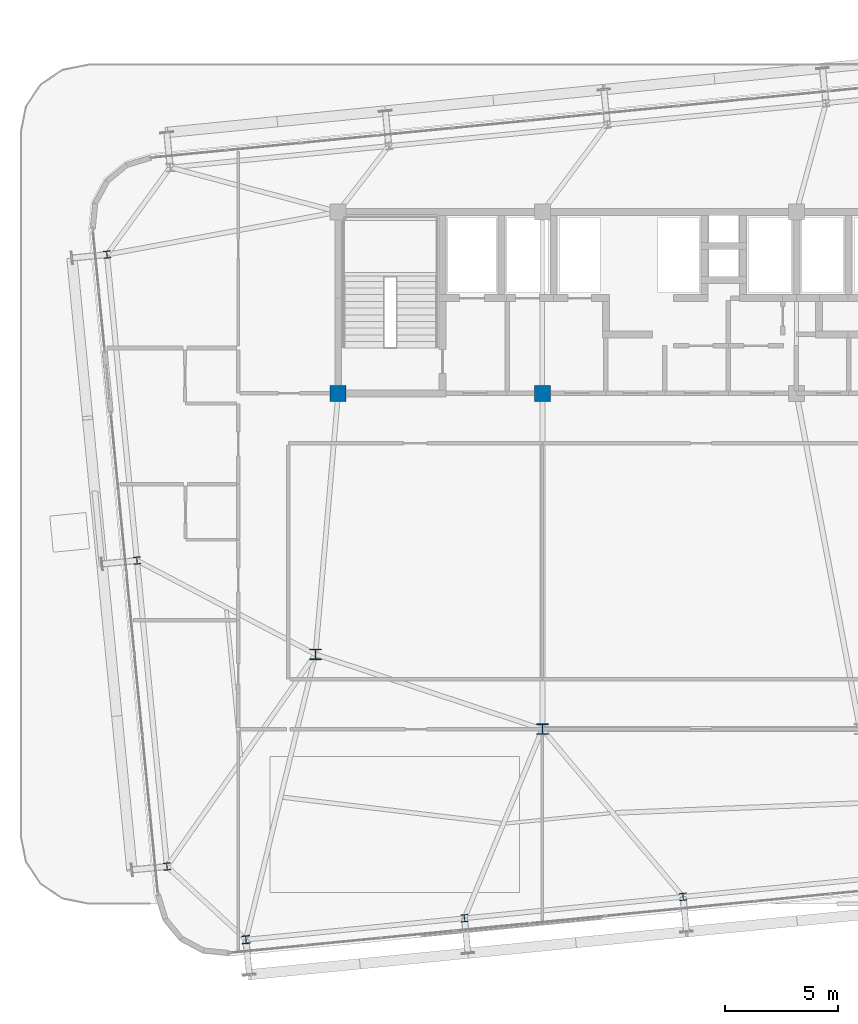
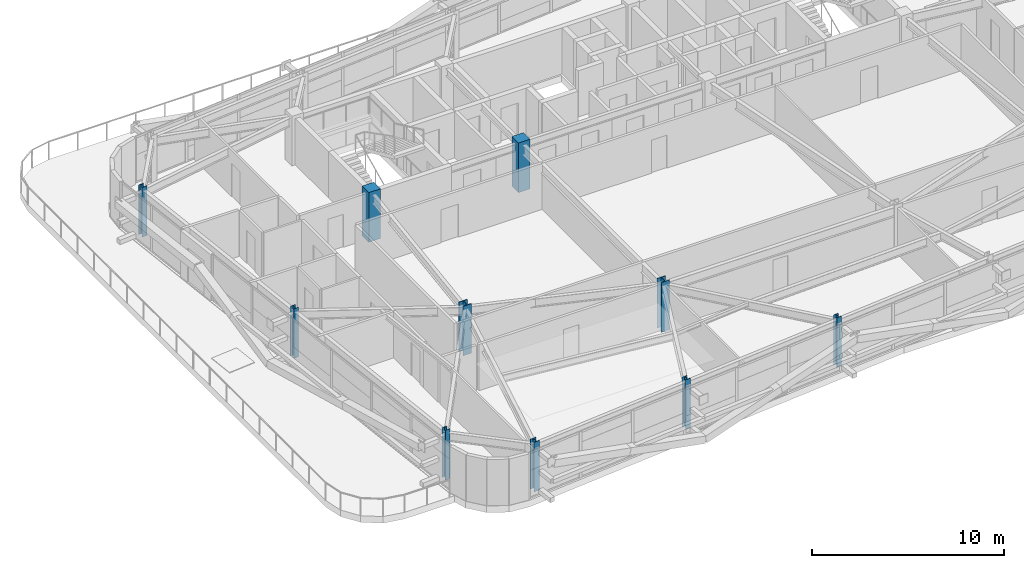
# One storey, part 1 of 51: 10 columns.
"""IFC4 building model written with IfcOpenShell, lengths in metres."""

from ifc_helpers import new_model, si_unit, direction, frame, origin, origin_2d, place, context, subcontext, project, spatial, rectangle, i_section, extrude, source, transform, mapped, material, material_profile, profile_set, type_object, element, save


model = new_model("IFC4")

# Units and contexts
model_context = context("Model", 3, precision=1e-05, world=origin(), true_north=direction((0.0, 1.0)))
body_context = subcontext(model_context, "Body", "Model", "MODEL_VIEW")
ifc_project = project(units=[si_unit("LENGTHUNIT", "METRE"), si_unit("AREAUNIT", "SQUARE_METRE"), si_unit("VOLUMEUNIT", "CUBIC_METRE"), si_unit("PLANEANGLEUNIT", "RADIAN"), si_unit("MASSUNIT", "GRAM", prefix="KILO")], contexts=[model_context])

# Site, building, storey
site_placement = place(None, origin())
site = spatial("IfcSite", under=ifc_project, at=site_placement, CompositionType="ELEMENT")
building_placement = place(site_placement, origin())
building = spatial("IfcBuilding", under=site, at=building_placement, Name="Taldren Reach Tower", CompositionType="ELEMENT")
storey_placement = place(building_placement, frame((0.0, 0.0, 65.10009765625)))
storey = spatial("IfcBuildingStorey", under=building, at=storey_placement, Name="L19", CompositionType="ELEMENT", Elevation=65.10009765625)

# Columns
ifc_material_1 = material(Name="Steel Gr 350 (350PLUS)", Category="steel")
ifc_material_profile_1 = material_profile(ifc_material_1, i_section(OverallWidth=0.5, OverallDepth=0.464111328125, WebThickness=0.02197265625, FlangeThickness=0.033935546875, at=origin_2d()), Name="500WC340")
ifc_profile_set_1 = profile_set([ifc_material_profile_1], Name="Steel Gr 350 (350PLUS)")
column_type_1 = type_object("IfcColumnType", Name="COL-WC500B", PredefinedType="COLUMN", material=ifc_profile_set_1)
shared_shape_1 = source(origin(), body_context, "Body", "SweptSolid", [
    extrude(i_section(OverallWidth=0.5, OverallDepth=0.464111328125, WebThickness=0.02197265625, FlangeThickness=0.033935546875, at=origin_2d()), origin(), (0.0, 0.0, 1.0), 3.14990234375),
])
for number, where, z_axis, x_axis, name in (
    (1, (28.0, 9.199951171875, 0.0), (0.0, 0.0, 1.0), (1.0, 0.0, 0.0), "Mega column MC-PJW L19"),
    (2, (18.0, 12.5, 0.0), (0.0, 0.0, 1.0), (1.0, 0.0, 0.0), "Mega column MC-SW L19"),
):
    element("IfcColumn", number, at=place(storey_placement, frame(where, z_axis=z_axis, x_axis=x_axis)), inside=storey, type_object=column_type_1, Name=name, PredefinedType="COLUMN", context=body_context, shape_type="MappedRepresentation", body=[
        mapped(shared_shape_1, transform((0.0, 0.0, 0.0), scale=1.0)),
    ])
ifc_material_2 = material(Name="Concrete S65 (65 MPa)", Category="concrete")
ifc_material_profile_2 = material_profile(ifc_material_2, rectangle(XDim=0.699951171875, YDim=0.699951171875, at=origin_2d()), Name="RC-700x700")
ifc_profile_set_2 = profile_set([ifc_material_profile_2], Name="Concrete S65 (65 MPa)")
column_type_2 = type_object("IfcColumnType", Name="COL-RC700", PredefinedType="COLUMN", material=ifc_profile_set_2)
shared_shape_2 = source(origin(), body_context, "Body", "SweptSolid", [
    extrude(rectangle(XDim=0.699951171875, YDim=0.699951171875, at=origin_2d()), origin(), (0.0, 0.0, 1.0), 3.14990234375),
])
for number, where, z_axis, x_axis, name in (
    (3, (19.0, 24.0, 0.0), (0.0, 0.0, 1.0), (1.0, 0.0, 0.0), "Mega column MC-C1 L19"),
    (4, (28.0, 24.0, 0.0), (0.0, 0.0, 1.0), (1.0, 0.0, 0.0), "Mega column MC-C2 L19"),
):
    element("IfcColumn", number, at=place(storey_placement, frame(where, z_axis=z_axis, x_axis=x_axis)), inside=storey, type_object=column_type_2, Name=name, PredefinedType="COLUMN", context=body_context, shape_type="MappedRepresentation", body=[
        mapped(shared_shape_2, transform((0.0, 0.0, 0.0), scale=1.0)),
    ])
ifc_material_profile_3 = material_profile(ifc_material_1, i_section(OverallWidth=0.35009765625, OverallDepth=0.35595703125, WebThickness=0.01806640625, FlangeThickness=0.028076171875, at=origin_2d()), Name="350WC197")
ifc_profile_set_3 = profile_set([ifc_material_profile_3], Name="Steel Gr 350 (350PLUS)")
column_type_3 = type_object("IfcColumnType", Name="COL-WC350", PredefinedType="COLUMN", material=ifc_profile_set_3)
shared_shape_3 = source(origin(), body_context, "Body", "SweptSolid", [
    extrude(i_section(OverallWidth=0.35009765625, OverallDepth=0.35595703125, WebThickness=0.01806640625, FlangeThickness=0.028076171875, at=origin_2d()), origin(), (0.0, 0.0, 1.0), 3.14990234375),
])
column_placement = place(storey_placement, frame((14.93408203125, -0.079833984375, 0.0), z_axis=(0.0, 0.0, 1.0), x_axis=(0.995227399982, 0.097582899759, 0.0)))
element("IfcColumn", 5, at=column_placement, inside=storey, type_object=column_type_3, Name="Block B2 perimeter column S1 L19", PredefinedType="COLUMN", context=body_context, shape_type="MappedRepresentation", body=[
    mapped(shared_shape_3, transform((0.0, 0.0, 0.0), scale=1.0)),
])
ifc_material_profile_4 = material_profile(ifc_material_1, i_section(OverallWidth=0.306884765625, OverallDepth=0.31494140625, WebThickness=0.011962890625, FlangeThickness=0.018798828125, at=origin_2d()), Name="310UC118")
ifc_profile_set_4 = profile_set([ifc_material_profile_4], Name="Steel Gr 350 (350PLUS)")
column_type_4 = type_object("IfcColumnType", Name="COL-UC310B", PredefinedType="COLUMN", material=ifc_profile_set_4)
shared_shape_4 = source(origin(), body_context, "Body", "SweptSolid", [
    extrude(i_section(OverallWidth=0.306884765625, OverallDepth=0.31494140625, WebThickness=0.011962890625, FlangeThickness=0.018798828125, at=origin_2d()), origin(), (0.0, 0.0, 1.0), 3.14990234375),
])
for number, where, z_axis, x_axis, name in (
    (6, (24.56787109375, 0.86474609375, 0.0), (0.0, 0.0, 1.0), (0.995227399982, 0.097582899759, 0.0), "Block B2 perimeter column S2 L19"),
    (7, (34.20166015625, 1.809326171875, 0.0), (0.0, 0.0, 1.0), (0.995227399982, 0.097582899759, 0.0), "Block B2 perimeter column S3 L19"),
    (8, (11.452880859375, 3.145751953125, 0.0), (0.0, 0.0, 1.0), (0.995227399982, 0.097582899759, 0.0), "Block B2 perimeter column W1 L19"),
    (9, (10.130615234375, 16.631103515625, 0.0), (0.0, 0.0, 1.0), (0.995227399982, 0.097582899759, 0.0), "Block B2 perimeter column W2 L19"),
    (10, (8.808349609375, 30.116455078125, 0.0), (0.0, 0.0, 1.0), (0.995227399982, 0.097582899759, 0.0), "Block B2 perimeter column W3 L19"),
):
    element("IfcColumn", number, at=place(storey_placement, frame(where, z_axis=z_axis, x_axis=x_axis)), inside=storey, type_object=column_type_4, Name=name, PredefinedType="COLUMN", context=body_context, shape_type="MappedRepresentation", body=[
        mapped(shared_shape_4, transform((0.0, 0.0, 0.0), scale=1.0)),
    ])

save(model, "model.ifc")
